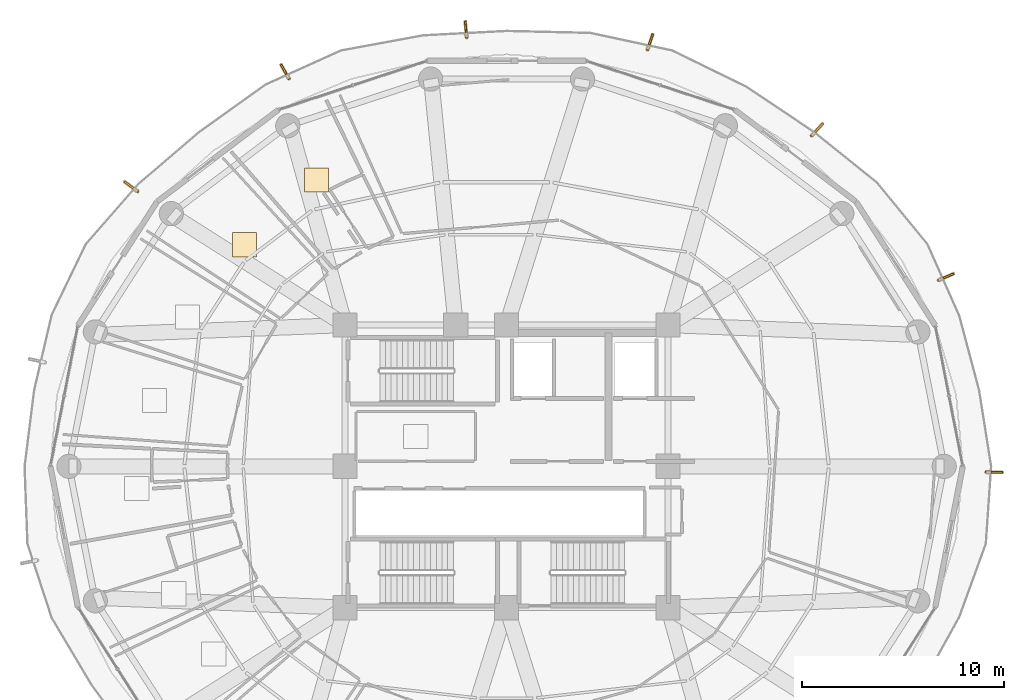
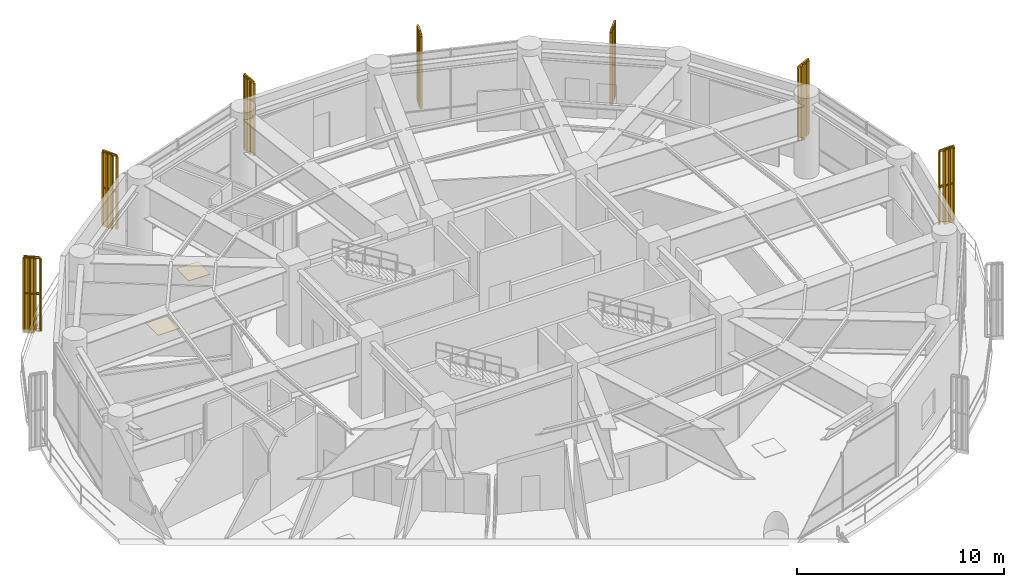
# One storey, part 28 of 28: 7 railings, 7 shading devices, 2 coverings.
"""IFC4 building model written with IfcOpenShell, lengths in metres."""

import ifcopenshell
import ifcopenshell.guid

model = None  # the IFC model being written
_history = None  # IfcOwnerHistory: only IFC2X3 demands one
_inside = {}  # id of a spatial element -> (the spatial element, [elements in it])
_under = {}  # id of a project, library or spatial element -> (it, [spatial elements below it])
_declared = {}  # id of a project -> (the project, [libraries it declares])
_typed = {}  # id of a type object -> (the type object, [elements of that type])
_made_of = {}  # id of a material, layer set ... -> (it, [elements and type objects made of it])


def new_model(schema):
    """Start an empty IFC model of exactly this schema.

    Asked for "IFC4X3", IfcOpenShell would pick the latest addendum, in which some entities
    have other attributes; the version numbers below select the first issue.
    IFC2X3 requires an IfcOwnerHistory on every rooted entity: one is made here for all.
    """
    global model, _history
    if schema == "IFC4X3":
        model = ifcopenshell.file(schema_version=(4, 3, 0, 0))
    else:
        model = ifcopenshell.file(schema=schema)
    _inside.clear()
    _under.clear()
    _declared.clear()
    _typed.clear()
    _made_of.clear()
    _history = None
    if model.schema == "IFC2X3":
        org = make("IfcOrganization", Name="unknown")
        user = make(
            "IfcPersonAndOrganization",
            ThePerson=make("IfcPerson", FamilyName="unknown"),
            TheOrganization=org,
        )
        app = make(
            "IfcApplication",
            ApplicationDeveloper=org,
            Version="unknown",
            ApplicationFullName="unknown",
            ApplicationIdentifier="unknown",
        )
        _history = make(
            "IfcOwnerHistory",
            OwningUser=user,
            OwningApplication=app,
            ChangeAction="ADDED",
            CreationDate=0,
        )
    return model


def make(cls, **values):
    """One entity of the class cls with the attributes given. An attribute that is None is left unset."""
    return model.create_entity(
        cls, **{name: value for name, value in values.items() if value is not None}
    )


def rooted(cls, **values):
    """An entity with a GlobalId (a new one), such as an element, a storey or a relation."""
    return make(cls, GlobalId=ifcopenshell.guid.new(), OwnerHistory=_history, **values)


def si_unit(unit_type, name, prefix=None):
    """IfcSIUnit, for example si_unit("LENGTHUNIT", "METRE", prefix="MILLI")."""
    return make("IfcSIUnit", UnitType=unit_type, Prefix=prefix, Name=name)


def assignment(units):
    """IfcUnitAssignment: the units of a project."""
    return None if units is None else make("IfcUnitAssignment", Units=units)


def point(xyz):
    """IfcCartesianPoint."""
    return None if xyz is None else make("IfcCartesianPoint", Coordinates=xyz)


def direction(xyz):
    """IfcDirection."""
    return None if xyz is None else make("IfcDirection", DirectionRatios=xyz)


def frame(location, z_axis=None, x_axis=None):
    """IfcAxis2Placement3D, a coordinate frame: its origin and axes. An axis left out is left unset."""
    return make(
        "IfcAxis2Placement3D",
        Location=point(location),
        Axis=direction(z_axis),
        RefDirection=direction(x_axis),
    )


def frame_2d(location, x_axis=None):
    """IfcAxis2Placement2D, a coordinate frame in the plane: its origin and x axis."""
    return make(
        "IfcAxis2Placement2D", Location=point(location), RefDirection=direction(x_axis)
    )


def origin():
    """The frame at (0, 0, 0) with its axes left unset."""
    return frame((0.0, 0.0, 0.0))


def origin_2d():
    """The frame at (0, 0) in the plane with its x axis left unset."""
    return frame_2d((0.0, 0.0))


def place(relative_to, where):
    """IfcLocalPlacement: puts the frame where relative to a parent placement (None: the world)."""
    return make(
        "IfcLocalPlacement", PlacementRelTo=relative_to, RelativePlacement=where
    )


def context(
    kind, dimensions, precision=None, world=None, true_north=None, identifier=None
):
    """IfcGeometricRepresentationContext, for example the 3D "Model" context."""
    return make(
        "IfcGeometricRepresentationContext",
        ContextIdentifier=identifier,
        ContextType=kind,
        CoordinateSpaceDimension=dimensions,
        Precision=precision,
        WorldCoordinateSystem=world,
        TrueNorth=true_north,
    )


def subcontext(parent, identifier, kind, view, scale=None):
    """IfcGeometricRepresentationSubContext, for example "Body" below "Model"."""
    return make(
        "IfcGeometricRepresentationSubContext",
        ContextIdentifier=identifier,
        ContextType=kind,
        ParentContext=parent,
        TargetScale=scale,
        TargetView=view,
    )


def project(units=None, contexts=None):
    """IfcProject with its units and contexts."""
    return rooted(
        "IfcProject",
        Name="project",
        RepresentationContexts=contexts,
        UnitsInContext=assignment(units),
    )


def spatial(cls, under=None, at=None, **own):
    """A site, building, storey or space (cls), placed at a placement, below another one or the project."""
    s = rooted(cls, ObjectPlacement=at, **own)
    if under is not None:
        _under.setdefault(under.id(), (under, []))[1].append(s)
    return s


def polyline(points):
    """IfcPolyline through the points."""
    return make("IfcPolyline", Points=[point(p) for p in points])


def profile(cls, at=None, kind="AREA", **sizes):
    """A parametric profile (cls). Its sizes go by their IFC names, for example OverallWidth=200.0."""
    return make(cls, ProfileType=kind, Position=at, **sizes)


def rectangle(**sizes):
    """IfcRectangleProfileDef."""
    return profile("IfcRectangleProfileDef", **sizes)


def outline(outer, holes=None, kind="AREA"):
    """IfcArbitraryClosedProfileDef: a profile drawn as a closed curve; with holes, ...WithVoids."""
    if holes is None:
        return make("IfcArbitraryClosedProfileDef", ProfileType=kind, OuterCurve=outer)
    return make(
        "IfcArbitraryProfileDefWithVoids",
        ProfileType=kind,
        OuterCurve=outer,
        InnerCurves=holes,
    )


def extrude(swept, where, along, depth):
    """IfcExtrudedAreaSolid: the profile swept, set in the frame where, extruded along a direction by depth."""
    return make(
        "IfcExtrudedAreaSolid",
        SweptArea=swept,
        Position=where,
        ExtrudedDirection=direction(along),
        Depth=depth,
    )


def shape(context_of_items, identifier, shape_type, items):
    """IfcShapeRepresentation: the items that make up one representation, for example the "Body"."""
    return make(
        "IfcShapeRepresentation",
        ContextOfItems=context_of_items,
        RepresentationIdentifier=identifier,
        RepresentationType=shape_type,
        Items=items,
    )


def source(mapping_origin, context_of_items, identifier, shape_type, items):
    """IfcRepresentationMap: a shape defined once, which mapped items show again and again."""
    return make(
        "IfcRepresentationMap",
        MappingOrigin=mapping_origin,
        MappedRepresentation=shape(context_of_items, identifier, shape_type, items),
    )


def transform(
    local_origin,
    x_axis=None,
    y_axis=None,
    z_axis=None,
    scale=None,
    scale2=None,
    scale3=None,
    uniform=True,
):
    """IfcCartesianTransformationOperator3D, or its non-uniform kind. x_axis, y_axis, z_axis: its Axis1, 2, 3."""
    if uniform:
        return make(
            "IfcCartesianTransformationOperator3D",
            Axis1=direction(x_axis),
            Axis2=direction(y_axis),
            LocalOrigin=point(local_origin),
            Scale=scale,
            Axis3=direction(z_axis),
        )
    return make(
        "IfcCartesianTransformationOperator3DnonUniform",
        Axis1=direction(x_axis),
        Axis2=direction(y_axis),
        LocalOrigin=point(local_origin),
        Scale=scale,
        Axis3=direction(z_axis),
        Scale2=scale2,
        Scale3=scale3,
    )


def mapped(mapping_source, mapping_target):
    """IfcMappedItem: shows the shape of a source again, moved by a transform."""
    return make(
        "IfcMappedItem", MappingSource=mapping_source, MappingTarget=mapping_target
    )


def material(Name=None, Category=None):
    """IfcMaterial."""
    return make("IfcMaterial", Name=Name, Category=Category)


def layer(
    of_material, thickness, ventilated=None, Name=None, Category=None, Priority=None
):
    """IfcMaterialLayer: one layer of a wall or slab, of a material (None: an air gap)."""
    return make(
        "IfcMaterialLayer",
        Material=of_material,
        LayerThickness=thickness,
        IsVentilated=ventilated,
        Name=Name,
        Category=Category,
        Priority=Priority,
    )


def layer_set(layers, Name=None):
    """IfcMaterialLayerSet."""
    return make("IfcMaterialLayerSet", MaterialLayers=layers, LayerSetName=Name)


def made_of(thing, what):
    """Note that an element or type object is made of a material, layer set ...; save() writes the relation."""
    if what is not None:
        _made_of.setdefault(what.id(), (what, []))[1].append(thing)
    return thing


def type_object(cls, material=None, **own):
    """A type object (cls), such as IfcWallType, which elements share."""
    return made_of(rooted(cls, **own), material)


def element(
    cls,
    number,
    at=None,
    inside=None,
    cuts=None,
    type_object=None,
    material=None,
    context=None,
    identifier="Body",
    shape_type=None,
    held_by="IfcProductDefinitionShape",
    body=None,
    shapes=None,
    **own,
):
    """One element of the class cls, such as IfcWall. Its Tag is "e" and its number.

    at: its placement. inside: the storey or other place that contains it. cuts: it is an
    opening in that element (IfcRelVoidsElement). A single representation is given by context,
    identifier, shape_type and body (its items); several are given by shapes. held_by: the class
    of the entity that holds the representations. save() writes the other relations.
    """
    e = rooted(cls, Tag="e%d" % number, ObjectPlacement=at, **own)
    if body is not None:
        shapes = [shape(context, identifier, shape_type, body)]
    if shapes is not None:
        e.Representation = make(held_by, Representations=shapes)
    if inside is not None:
        _inside.setdefault(inside.id(), (inside, []))[1].append(e)
    if cuts is not None:
        rooted(
            "IfcRelVoidsElement", RelatingBuildingElement=cuts, RelatedOpeningElement=e
        )
    if type_object is not None:
        _typed.setdefault(type_object.id(), (type_object, []))[1].append(e)
    return made_of(e, material)


def aggregate(whole, parts):
    """IfcRelAggregates: a whole, such as a stair, and the parts it consists of."""
    return rooted("IfcRelAggregates", RelatingObject=whole, RelatedObjects=parts)


def save(model, path):
    """Write the relations noted so far, then the file.

    IfcRelAggregates (storeys below a building ...), IfcRelContainedInSpatialStructure (elements
    in a storey), IfcRelDefinesByType, IfcRelAssociatesMaterial and IfcRelDeclares: one each for
    every whole, place, type object, material and project.
    """
    for whole, parts in _under.values():
        aggregate(whole, parts)
    for where, things in _inside.values():
        rooted(
            "IfcRelContainedInSpatialStructure",
            RelatedElements=things,
            RelatingStructure=where,
        )
    for kind, things in _typed.values():
        rooted("IfcRelDefinesByType", RelatedObjects=things, RelatingType=kind)
    for what, things in _made_of.values():
        rooted("IfcRelAssociatesMaterial", RelatedObjects=things, RelatingMaterial=what)
    for by, libraries in _declared.values():
        rooted("IfcRelDeclares", RelatingContext=by, RelatedDefinitions=libraries)
    model.write(path)


model = new_model("IFC4")

# Units and contexts
model_context = context("Model", 3, precision=1e-05, world=origin(), true_north=direction((0.0, 1.0)))
body_context = subcontext(model_context, "Body", "Model", "MODEL_VIEW")
ifc_project = project(units=[si_unit("LENGTHUNIT", "METRE"), si_unit("AREAUNIT", "SQUARE_METRE"), si_unit("VOLUMEUNIT", "CUBIC_METRE"), si_unit("PLANEANGLEUNIT", "RADIAN"), si_unit("MASSUNIT", "GRAM", prefix="KILO")], contexts=[model_context])

# Site, building, storey
site_placement = place(None, origin())
site = spatial("IfcSite", under=ifc_project, at=site_placement, CompositionType="ELEMENT")
building_placement = place(site_placement, origin())
building = spatial("IfcBuilding", under=site, at=building_placement, Name="Kelanora Arch Commons", CompositionType="ELEMENT")
storey_placement = place(building_placement, frame((0.0, 0.0, 184.35009765625)))
storey = spatial("IfcBuildingStorey", under=building, at=storey_placement, Name="L47", CompositionType="ELEMENT", Elevation=184.35009765625)

# Railings
ifc_material_1 = material(Name="Anodised bronze vertical shading fin rib assembly")
railing_type = type_object("IfcRailingType", Name="RAIL-FIN-BRZ", PredefinedType="BALUSTRADE", material=ifc_material_1)
railing_1_placement = place(storey_placement, frame((97.76171875, 57.715087890625, -0.02001953125)))
element("IfcRailing", 1, at=railing_1_placement, inside=storey, type_object=railing_type, Name="Sweeping Bronze Vertical Fin Blade L47-01", PredefinedType="BALUSTRADE", context=body_context, shape_type="SweptSolid", body=[
    extrude(outline(polyline([(0.06982421875, 0.0), (0.034912109375, 0.060546875), (-0.034912109375, 0.060546875), (-0.06982421875, 0.0), (-0.034912109375, -0.060546875), (0.034912109375, -0.060546875), (0.06982421875, 0.0)])), frame((0.0, 0.0, 4.2900390625), z_axis=(0.999929189085, -0.011900286352, 0.0), x_axis=(0.011900286352, 0.999929189085, 0.0)), (0.0, 0.0, 1.0), 0.800048828125),
    extrude(outline(polyline([(0.06982421875, 0.0), (0.034912109375, 0.060546875), (-0.034912109375, 0.060546875), (-0.06982421875, 0.0), (-0.034912109375, -0.060546875), (0.034912109375, -0.060546875), (0.06982421875, 0.0)])), frame((0.0, 0.0, 2.18017578125), z_axis=(0.999929189085, -0.011900286352, 0.0), x_axis=(0.011900286352, 0.999929189085, 0.0)), (0.0, 0.0, 1.0), 0.800048828125),
    extrude(outline(polyline([(0.080078125, 0.0), (0.0400390625, 0.0693359375), (-0.0400390625, 0.0693359375), (-0.080078125, 0.0), (-0.0400390625, -0.0693359375), (0.0400390625, -0.0693359375), (0.080078125, 0.0)])), origin(), (0.0, 0.0, 1.0), 4.22021484375),
    extrude(outline(polyline([(0.080078125, 0.0), (0.0400390625, 0.0693359375), (-0.0400390625, 0.0693359375), (-0.080078125, 0.0), (-0.0400390625, -0.0693359375), (0.0400390625, -0.0693359375), (0.080078125, 0.0)])), frame((0.2666015625, -0.003173828125, 0.0)), (0.0, 0.0, 1.0), 4.22021484375),
    extrude(outline(polyline([(0.080078125, 0.0), (0.0400390625, 0.0693359375), (-0.0400390625, 0.0693359375), (-0.080078125, 0.0), (-0.0400390625, -0.0693359375), (0.0400390625, -0.0693359375), (0.080078125, 0.0)])), frame((0.533447265625, -0.00634765625, 0.0)), (0.0, 0.0, 1.0), 4.22021484375),
    extrude(outline(polyline([(0.080078125, 0.0), (0.0400390625, 0.0693359375), (-0.0400390625, 0.0693359375), (-0.080078125, 0.0), (-0.0400390625, -0.0693359375), (0.0400390625, -0.0693359375), (0.080078125, 0.0)])), frame((0.800048828125, -0.009521484375, 0.0)), (0.0, 0.0, 1.0), 4.22021484375),
])
railing_2_placement = place(storey_placement, frame((95.39794921875, 67.22119140625, -0.02001953125)))
element("IfcRailing", 2, at=railing_2_placement, inside=storey, type_object=railing_type, Name="Sweeping Bronze Vertical Fin Blade L47-02", PredefinedType="BALUSTRADE", context=body_context, shape_type="SweptSolid", body=[
    extrude(outline(polyline([(0.06982421875, 0.0), (0.034912109375, 0.060546875), (-0.034912109375, 0.060546875), (-0.06982421875, 0.0), (-0.034912109375, -0.060546875), (0.034912109375, -0.060546875), (0.06982421875, 0.0)])), frame((0.0, 0.0, 4.2900390625), z_axis=(0.918433089094, 0.395576365392, 0.0), x_axis=(-0.395576365392, 0.918433089094, 0.0)), (0.0, 0.0, 1.0), 0.7998046875),
    extrude(outline(polyline([(0.06982421875, 0.0), (0.034912109375, 0.060546875), (-0.034912109375, 0.060546875), (-0.06982421875, 0.0), (-0.034912109375, -0.060546875), (0.034912109375, -0.060546875), (0.06982421875, 0.0)])), frame((0.0, 0.0, 2.18017578125), z_axis=(0.918433089094, 0.395576365392, 0.0), x_axis=(-0.395576365392, 0.918433089094, 0.0)), (0.0, 0.0, 1.0), 0.7998046875),
    extrude(outline(polyline([(0.080078125, 0.0), (0.0400390625, 0.0693359375), (-0.0400390625, 0.0693359375), (-0.080078125, 0.0), (-0.0400390625, -0.0693359375), (0.0400390625, -0.0693359375), (0.080078125, 0.0)])), origin(), (0.0, 0.0, 1.0), 4.22021484375),
    extrude(outline(polyline([(0.080078125, 0.0), (0.0400390625, 0.0693359375), (-0.0400390625, 0.0693359375), (-0.080078125, 0.0), (-0.0400390625, -0.0693359375), (0.0400390625, -0.0693359375), (0.080078125, 0.0)])), frame((0.244873046875, 0.10546875, 0.0)), (0.0, 0.0, 1.0), 4.22021484375),
    extrude(outline(polyline([(0.080078125, 0.0), (0.0400390625, 0.0693359375), (-0.0400390625, 0.0693359375), (-0.080078125, 0.0), (-0.0400390625, -0.0693359375), (0.0400390625, -0.0693359375), (0.080078125, 0.0)])), frame((0.48974609375, 0.2109375, 0.0)), (0.0, 0.0, 1.0), 4.22021484375),
    extrude(outline(polyline([(0.080078125, 0.0), (0.0400390625, 0.0693359375), (-0.0400390625, 0.0693359375), (-0.080078125, 0.0), (-0.0400390625, -0.0693359375), (0.0400390625, -0.0693359375), (0.080078125, 0.0)])), frame((0.734619140625, 0.31640625, 0.0)), (0.0, 0.0, 1.0), 4.22021484375),
])
railing_3_placement = place(storey_placement, frame((89.1083984375, 74.380126953125, -0.02001953125)))
element("IfcRailing", 3, at=railing_3_placement, inside=storey, type_object=railing_type, Name="Sweeping Bronze Vertical Fin Blade L47-03", PredefinedType="BALUSTRADE", context=body_context, shape_type="SweptSolid", body=[
    extrude(outline(polyline([(0.06982421875, 0.0), (0.034912109375, 0.060546875), (-0.034912109375, 0.060546875), (-0.06982421875, 0.0), (-0.034912109375, -0.060546875), (0.034912109375, -0.060546875), (0.06982421875, 0.0)])), frame((0.0, 0.0, 4.2900390625), z_axis=(0.677836326187, 0.735212836464, 0.0), x_axis=(-0.735212836464, 0.677836326187, 0.0)), (0.0, 0.0, 1.0), 0.800048828125),
    extrude(outline(polyline([(0.06982421875, 0.0), (0.034912109375, 0.060546875), (-0.034912109375, 0.060546875), (-0.06982421875, 0.0), (-0.034912109375, -0.060546875), (0.034912109375, -0.060546875), (0.06982421875, 0.0)])), frame((0.0, 0.0, 2.18017578125), z_axis=(0.677836326187, 0.735212836464, 0.0), x_axis=(-0.735212836464, 0.677836326187, 0.0)), (0.0, 0.0, 1.0), 0.800048828125),
    extrude(outline(polyline([(0.080078125, 0.0), (0.0400390625, 0.0693359375), (-0.0400390625, 0.0693359375), (-0.080078125, 0.0), (-0.0400390625, -0.0693359375), (0.0400390625, -0.0693359375), (0.080078125, 0.0)])), origin(), (0.0, 0.0, 1.0), 4.22021484375),
    extrude(outline(polyline([(0.080078125, 0.0), (0.0400390625, 0.0693359375), (-0.0400390625, 0.0693359375), (-0.080078125, 0.0), (-0.0400390625, -0.0693359375), (0.0400390625, -0.0693359375), (0.080078125, 0.0)])), frame((0.1806640625, 0.196044921875, 0.0)), (0.0, 0.0, 1.0), 4.22021484375),
    extrude(outline(polyline([(0.080078125, 0.0), (0.0400390625, 0.0693359375), (-0.0400390625, 0.0693359375), (-0.080078125, 0.0), (-0.0400390625, -0.0693359375), (0.0400390625, -0.0693359375), (0.080078125, 0.0)])), frame((0.361572265625, 0.39208984375, 0.0)), (0.0, 0.0, 1.0), 4.22021484375),
    extrude(outline(polyline([(0.080078125, 0.0), (0.0400390625, 0.0693359375), (-0.0400390625, 0.0693359375), (-0.080078125, 0.0), (-0.0400390625, -0.0693359375), (0.0400390625, -0.0693359375), (0.080078125, 0.0)])), frame((0.542236328125, 0.588134765625, 0.0)), (0.0, 0.0, 1.0), 4.22021484375),
])
railing_4_placement = place(storey_placement, frame((80.981689453125, 78.641845703125, -0.02001953125)))
element("IfcRailing", 4, at=railing_4_placement, inside=storey, type_object=railing_type, Name="Sweeping Bronze Vertical Fin Blade L47-04", PredefinedType="BALUSTRADE", context=body_context, shape_type="SweptSolid", body=[
    extrude(outline(polyline([(0.06982421875, 0.0), (0.034912109375, 0.060546875), (-0.034912109375, 0.060546875), (-0.06982421875, 0.0), (-0.034912109375, -0.060546875), (0.034912109375, -0.060546875), (0.06982421875, 0.0)])), frame((0.0, 0.0, 4.2900390625), z_axis=(0.320436095887, 0.947270134889, 0.0), x_axis=(-0.947270134889, 0.320436095887, 0.0)), (0.0, 0.0, 1.0), 0.800048828125),
    extrude(outline(polyline([(0.06982421875, 0.0), (0.034912109375, 0.060546875), (-0.034912109375, 0.060546875), (-0.06982421875, 0.0), (-0.034912109375, -0.060546875), (0.034912109375, -0.060546875), (0.06982421875, 0.0)])), frame((0.0, 0.0, 2.18017578125), z_axis=(0.320436095887, 0.947270134889, 0.0), x_axis=(-0.947270134889, 0.320436095887, 0.0)), (0.0, 0.0, 1.0), 0.800048828125),
    extrude(outline(polyline([(0.080078125, 0.0), (0.0400390625, 0.0693359375), (-0.0400390625, 0.0693359375), (-0.080078125, 0.0), (-0.0400390625, -0.0693359375), (0.0400390625, -0.0693359375), (0.080078125, 0.0)])), origin(), (0.0, 0.0, 1.0), 4.22021484375),
    extrude(outline(polyline([(0.080078125, 0.0), (0.0400390625, 0.0693359375), (-0.0400390625, 0.0693359375), (-0.080078125, 0.0), (-0.0400390625, -0.0693359375), (0.0400390625, -0.0693359375), (0.080078125, 0.0)])), frame((0.08544921875, 0.252685546875, 0.0)), (0.0, 0.0, 1.0), 4.22021484375),
    extrude(outline(polyline([(0.080078125, 0.0), (0.0400390625, 0.0693359375), (-0.0400390625, 0.0693359375), (-0.080078125, 0.0), (-0.0400390625, -0.0693359375), (0.0400390625, -0.0693359375), (0.080078125, 0.0)])), frame((0.1708984375, 0.505126953125, 0.0)), (0.0, 0.0, 1.0), 4.22021484375),
    extrude(outline(polyline([(0.080078125, 0.0), (0.0400390625, 0.0693359375), (-0.0400390625, 0.0693359375), (-0.080078125, 0.0), (-0.0400390625, -0.0693359375), (0.0400390625, -0.0693359375), (0.080078125, 0.0)])), frame((0.25634765625, 0.7578125, 0.0)), (0.0, 0.0, 1.0), 4.22021484375),
])
railing_5_placement = place(storey_placement, frame((72.024169921875, 79.24609375, -0.02001953125)))
element("IfcRailing", 5, at=railing_5_placement, inside=storey, type_object=railing_type, Name="Sweeping Bronze Vertical Fin Blade L47-05", PredefinedType="BALUSTRADE", context=body_context, shape_type="SweptSolid", body=[
    extrude(outline(polyline([(0.06982421875, 0.0), (0.034912109375, 0.060546875), (-0.034912109375, 0.060546875), (-0.06982421875, 0.0), (-0.034912109375, -0.060546875), (0.034912109375, -0.060546875), (0.06982421875, 0.0)])), frame((0.0, 0.0, 4.2900390625), z_axis=(-0.092489648909, 0.995713646007, 0.0), x_axis=(-0.995713646007, -0.092489648909, 0.0)), (0.0, 0.0, 1.0), 0.7998046875),
    extrude(outline(polyline([(0.06982421875, 0.0), (0.034912109375, 0.060546875), (-0.034912109375, 0.060546875), (-0.06982421875, 0.0), (-0.034912109375, -0.060546875), (0.034912109375, -0.060546875), (0.06982421875, 0.0)])), frame((0.0, 0.0, 2.18017578125), z_axis=(-0.092489648909, 0.995713646007, 0.0), x_axis=(-0.995713646007, -0.092489648909, 0.0)), (0.0, 0.0, 1.0), 0.7998046875),
    extrude(outline(polyline([(0.080078125, 0.0), (0.0400390625, 0.0693359375), (-0.0400390625, 0.0693359375), (-0.080078125, 0.0), (-0.0400390625, -0.0693359375), (0.0400390625, -0.0693359375), (0.080078125, 0.0)])), origin(), (0.0, 0.0, 1.0), 4.22021484375),
    extrude(outline(polyline([(0.080078125, 0.0), (0.0400390625, 0.0693359375), (-0.0400390625, 0.0693359375), (-0.080078125, 0.0), (-0.0400390625, -0.0693359375), (0.0400390625, -0.0693359375), (0.080078125, 0.0)])), frame((-0.024658203125, 0.265380859375, 0.0)), (0.0, 0.0, 1.0), 4.22021484375),
    extrude(outline(polyline([(0.080078125, 0.0), (0.0400390625, 0.0693359375), (-0.0400390625, 0.0693359375), (-0.080078125, 0.0), (-0.0400390625, -0.0693359375), (0.0400390625, -0.0693359375), (0.080078125, 0.0)])), frame((-0.04931640625, 0.531005859375, 0.0)), (0.0, 0.0, 1.0), 4.22021484375),
    extrude(outline(polyline([(0.080078125, 0.0), (0.0400390625, 0.0693359375), (-0.0400390625, 0.0693359375), (-0.080078125, 0.0), (-0.0400390625, -0.0693359375), (0.0400390625, -0.0693359375), (0.080078125, 0.0)])), frame((-0.073974609375, 0.79638671875, 0.0)), (0.0, 0.0, 1.0), 4.22021484375),
])
railing_6_placement = place(storey_placement, frame((63.220947265625, 77.19775390625, -0.02001953125)))
element("IfcRailing", 6, at=railing_6_placement, inside=storey, type_object=railing_type, Name="Sweeping Bronze Vertical Fin Blade L47-06", PredefinedType="BALUSTRADE", context=body_context, shape_type="SweptSolid", body=[
    extrude(outline(polyline([(0.06982421875, 0.0), (0.034912109375, 0.060546875), (-0.034912109375, 0.060546875), (-0.06982421875, 0.0), (-0.034912109375, -0.060546875), (0.034912109375, -0.060546875), (0.06982421875, 0.0)])), frame((0.0, 0.0, 4.2900390625), z_axis=(-0.489551041915, 0.871974642613, 0.0), x_axis=(-0.871974642613, -0.489551041915, 0.0)), (0.0, 0.0, 1.0), 0.7998046875),
    extrude(outline(polyline([(0.06982421875, 0.0), (0.034912109375, 0.060546875), (-0.034912109375, 0.060546875), (-0.06982421875, 0.0), (-0.034912109375, -0.060546875), (0.034912109375, -0.060546875), (0.06982421875, 0.0)])), frame((0.0, 0.0, 2.18017578125), z_axis=(-0.489551041915, 0.871974642613, 0.0), x_axis=(-0.871974642613, -0.489551041915, 0.0)), (0.0, 0.0, 1.0), 0.7998046875),
    extrude(outline(polyline([(0.080078125, 0.0), (0.0400390625, 0.0693359375), (-0.0400390625, 0.0693359375), (-0.080078125, 0.0), (-0.0400390625, -0.0693359375), (0.0400390625, -0.0693359375), (0.080078125, 0.0)])), origin(), (0.0, 0.0, 1.0), 4.22021484375),
    extrude(outline(polyline([(0.080078125, 0.0), (0.0400390625, 0.0693359375), (-0.0400390625, 0.0693359375), (-0.080078125, 0.0), (-0.0400390625, -0.0693359375), (0.0400390625, -0.0693359375), (0.080078125, 0.0)])), frame((-0.130615234375, 0.232421875, 0.0)), (0.0, 0.0, 1.0), 4.22021484375),
    extrude(outline(polyline([(0.080078125, 0.0), (0.0400390625, 0.0693359375), (-0.0400390625, 0.0693359375), (-0.080078125, 0.0), (-0.0400390625, -0.0693359375), (0.0400390625, -0.0693359375), (0.080078125, 0.0)])), frame((-0.260986328125, 0.465087890625, 0.0)), (0.0, 0.0, 1.0), 4.22021484375),
    extrude(outline(polyline([(0.080078125, 0.0), (0.0400390625, 0.0693359375), (-0.0400390625, 0.0693359375), (-0.080078125, 0.0), (-0.0400390625, -0.0693359375), (0.0400390625, -0.0693359375), (0.080078125, 0.0)])), frame((-0.3916015625, 0.697509765625, 0.0)), (0.0, 0.0, 1.0), 4.22021484375),
])
railing_7_placement = place(storey_placement, frame((55.722412109375, 71.6171875, -0.02001953125)))
element("IfcRailing", 7, at=railing_7_placement, inside=storey, type_object=railing_type, Name="Sweeping Bronze Vertical Fin Blade L47-07", PredefinedType="BALUSTRADE", context=body_context, shape_type="SweptSolid", body=[
    extrude(outline(polyline([(0.06982421875, 0.0), (0.034912109375, 0.060546875), (-0.034912109375, 0.060546875), (-0.06982421875, 0.0), (-0.034912109375, -0.060546875), (0.034912109375, -0.060546875), (0.06982421875, 0.0)])), frame((0.0, 0.0, 4.2900390625), z_axis=(-0.801900026598, 0.597458238995, 0.0), x_axis=(-0.597458238995, -0.801900026598, 0.0)), (0.0, 0.0, 1.0), 0.800048828125),
    extrude(outline(polyline([(0.06982421875, 0.0), (0.034912109375, 0.060546875), (-0.034912109375, 0.060546875), (-0.06982421875, 0.0), (-0.034912109375, -0.060546875), (0.034912109375, -0.060546875), (0.06982421875, 0.0)])), frame((0.0, 0.0, 2.18017578125), z_axis=(-0.801900026598, 0.597458238995, 0.0), x_axis=(-0.597458238995, -0.801900026598, 0.0)), (0.0, 0.0, 1.0), 0.800048828125),
    extrude(outline(polyline([(0.080078125, 0.0), (0.0400390625, 0.0693359375), (-0.0400390625, 0.0693359375), (-0.080078125, 0.0), (-0.0400390625, -0.0693359375), (0.0400390625, -0.0693359375), (0.080078125, 0.0)])), origin(), (0.0, 0.0, 1.0), 4.22021484375),
    extrude(outline(polyline([(0.080078125, 0.0), (0.0400390625, 0.0693359375), (-0.0400390625, 0.0693359375), (-0.080078125, 0.0), (-0.0400390625, -0.0693359375), (0.0400390625, -0.0693359375), (0.080078125, 0.0)])), frame((-0.2138671875, 0.159423828125, 0.0)), (0.0, 0.0, 1.0), 4.22021484375),
    extrude(outline(polyline([(0.080078125, 0.0), (0.0400390625, 0.0693359375), (-0.0400390625, 0.0693359375), (-0.080078125, 0.0), (-0.0400390625, -0.0693359375), (0.0400390625, -0.0693359375), (0.080078125, 0.0)])), frame((-0.427734375, 0.318603515625, 0.0)), (0.0, 0.0, 1.0), 4.22021484375),
    extrude(outline(polyline([(0.080078125, 0.0), (0.0400390625, 0.0693359375), (-0.0400390625, 0.0693359375), (-0.080078125, 0.0), (-0.0400390625, -0.0693359375), (0.0400390625, -0.0693359375), (0.080078125, 0.0)])), frame((-0.6416015625, 0.47802734375, 0.0)), (0.0, 0.0, 1.0), 4.22021484375),
])

# Shading devices
ifc_material_2 = material(Name="Terracotta ceramic-clad extruded aluminium fin", Category="masonry")
shading_device_type = type_object("IfcShadingDeviceType", Name="SHD-FIN-WAIST", PredefinedType="USERDEFINED", material=ifc_material_2)
shared_shape_1 = source(origin(), body_context, "Body", "SweptSolid", [
    extrude(rectangle(XDim=0.56005859375, YDim=0.090087890625, at=origin_2d()), origin(), (0.0, 0.0, 1.0), 4.47998046875),
])
for number, where, z_axis, x_axis, name in (
    (8, (98.3017578125, 57.70849609375, -0.14013671875), (0.0, 0.0, 1.0), (0.9999274867, -0.01204248075, 0.0), "Sweeping Terracotta Fin L47-01"),
    (9, (95.893798828125, 67.434814453125, -0.14013671875), (0.0, 0.0, 1.0), (0.918377331641, 0.395705795671, 0.0), "Sweeping Terracotta Fin L47-02"),
    (10, (89.474609375, 74.777099609375, -0.14013671875), (0.0, 0.0, 1.0), (0.678031392746, 0.735032945147, 0.0), "Sweeping Terracotta Fin L47-03"),
    (11, (81.15478515625, 79.1533203125, -0.14013671875), (0.0, 0.0, 1.0), (0.320447666323, 0.947266220842, 0.0), "Sweeping Terracotta Fin L47-04"),
    (12, (71.97412109375, 79.78369140625, -0.14013671875), (0.0, 0.0, 1.0), (-0.092544372783, 0.99570856131, 0.0), "Sweeping Terracotta Fin L47-05"),
    (13, (62.956787109375, 77.66845703125, -0.14013671875), (0.0, 0.0, 1.0), (-0.489534649095, 0.871983845799, 0.0), "Sweeping Terracotta Fin L47-06"),
    (14, (55.289306640625, 71.93994140625, -0.14013671875), (0.0, 0.0, 1.0), (-0.801879937297, 0.597485201625, 0.0), "Sweeping Terracotta Fin L47-07"),
):
    element("IfcShadingDevice", number, at=place(storey_placement, frame(where, z_axis=z_axis, x_axis=x_axis)), inside=storey, type_object=shading_device_type, Name=name, ObjectType="FIN", PredefinedType="USERDEFINED", context=body_context, shape_type="MappedRepresentation", body=[
        mapped(shared_shape_1, transform((0.0, 0.0, 0.0), scale=1.0)),
    ])

# Coverings
ifc_material_3 = material(Name="Polished local granite terrazzo flooring", Category="masonry")
ifc_layer = layer(ifc_material_3, 0.030029296875)
ifc_layer_set = layer_set([ifc_layer], Name="Polished local granite terrazzo flooring")
covering_type = type_object("IfcCoveringType", Name="COV-FLR-TER", PredefinedType="FLOORING", material=ifc_layer_set)
shared_shape_2 = source(origin(), body_context, "Body", "SweptSolid", [
    extrude(rectangle(XDim=1.199951171875, YDim=1.199951171875, at=origin_2d()), origin(), (0.0, 0.0, 1.0), 0.030029296875),
])
for number, where, z_axis, x_axis, name in (
    (15, (64.5810546875, 72.1875, 0.0), (0.0, 0.0, 1.0), (1.0, 0.0, 0.0), "Co-Living Studio L47-01 Terrazzo Finish"),
    (16, (61.013427734375, 68.972412109375, 0.0), (0.0, 0.0, 1.0), (1.0, 0.0, 0.0), "Quiet Seminar Study Room L47-02 Terrazzo Finish"),
):
    element("IfcCovering", number, at=place(storey_placement, frame(where, z_axis=z_axis, x_axis=x_axis)), inside=storey, type_object=covering_type, Name=name, PredefinedType="FLOORING", context=body_context, shape_type="MappedRepresentation", body=[
        mapped(shared_shape_2, transform((0.0, 0.0, 0.0), scale=1.0)),
    ])

save(model, "model.ifc")
